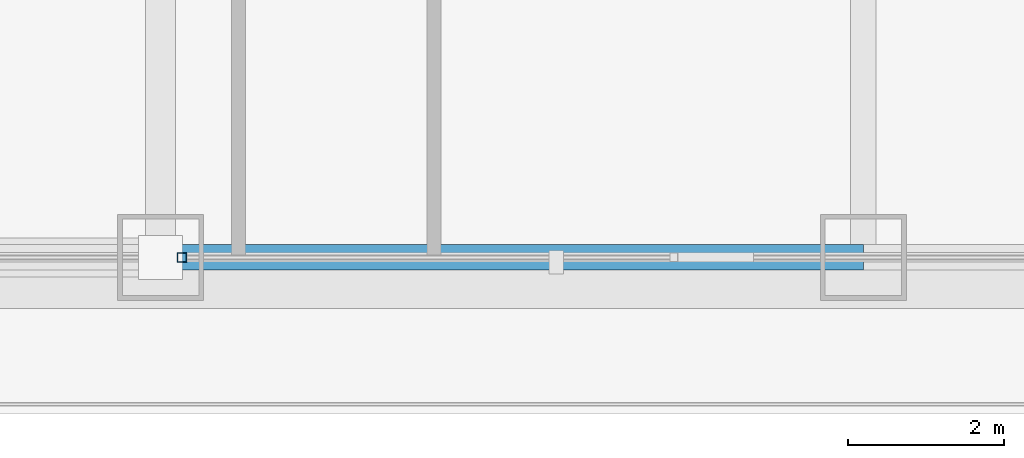
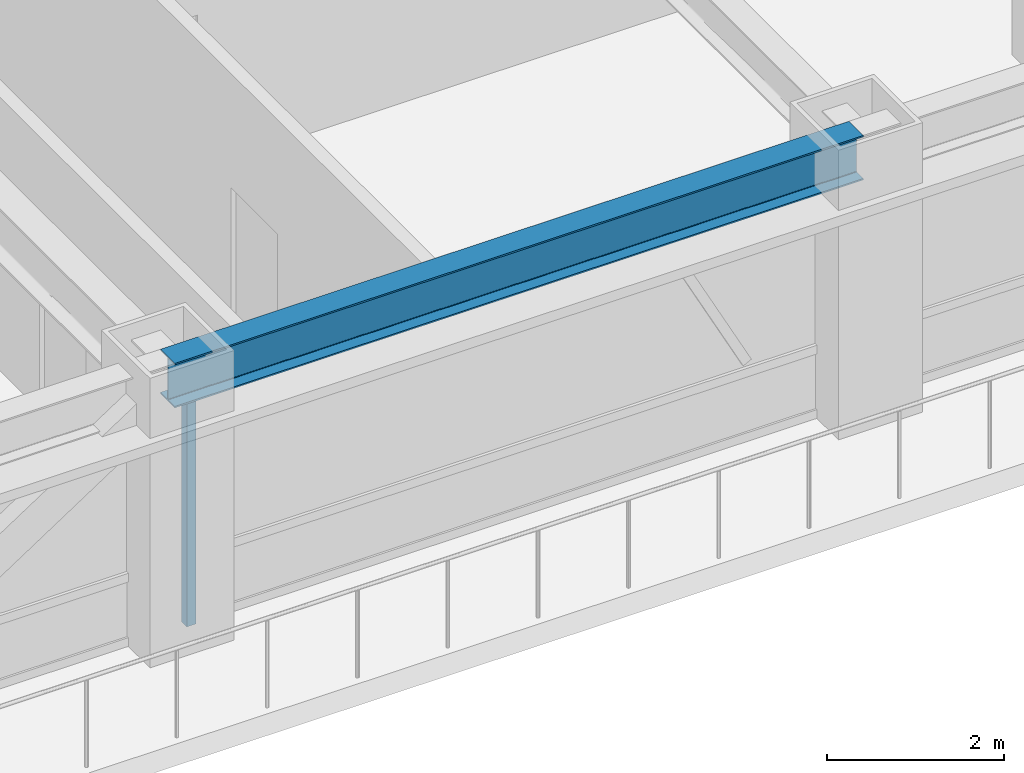
# One storey, part 9 of 35: 1 beam, 1 member, 1 element without a shape of its own.
"""IFC4 building model written with IfcOpenShell, lengths in metres."""

from ifc_helpers import new_model, si_unit, direction, frame, origin, origin_2d, place, context, subcontext, project, spatial, hollow_rectangle, i_section, extrude, source, transform, mapped, material, material_profile, profile_set, type_object, element, aggregate, save


model = new_model("IFC4")

# Units and contexts
model_context = context("Model", 3, precision=1e-05, world=origin(), true_north=direction((0.0, 1.0)))
body_context = subcontext(model_context, "Body", "Model", "MODEL_VIEW")
ifc_project = project(units=[si_unit("LENGTHUNIT", "METRE"), si_unit("AREAUNIT", "SQUARE_METRE"), si_unit("VOLUMEUNIT", "CUBIC_METRE"), si_unit("PLANEANGLEUNIT", "RADIAN"), si_unit("MASSUNIT", "GRAM", prefix="KILO")], contexts=[model_context])

# Site, building, storey
site_placement = place(None, origin())
site = spatial("IfcSite", under=ifc_project, at=site_placement, CompositionType="ELEMENT")
building_placement = place(site_placement, origin())
building = spatial("IfcBuilding", under=site, at=building_placement, Name="Khorayat Bourse Tower", CompositionType="ELEMENT")
storey_placement = place(building_placement, frame((0.0, 0.0, 155.10009765625)))
storey = spatial("IfcBuildingStorey", under=building, at=storey_placement, Name="L35", CompositionType="ELEMENT", Elevation=155.10009765625)

# Beam
ifc_material_1 = material(Name="Steel ASTM A992 Grade 50", Category="steel")
ifc_material_profile_1 = material_profile(ifc_material_1, i_section(OverallWidth=0.324951171875, OverallDepth=0.615966796875, WebThickness=0.013916015625, FlangeThickness=0.021484375, FilletRadius=0.01611328125, at=origin_2d()), Name="W610X174")
ifc_profile_set_1 = profile_set([ifc_material_profile_1], Name="Steel ASTM A992 Grade 50")
beam_type = type_object("IfcBeamType", Name="BM-SPAN-610", PredefinedType="SPANDREL", material=ifc_profile_set_1)
shared_shape_1 = source(origin(), body_context, "Body", "SweptSolid", [
    extrude(i_section(OverallWidth=0.324951171875, OverallDepth=0.615966796875, WebThickness=0.013916015625, FlangeThickness=0.021484375, FilletRadius=0.01611328125, at=origin_2d()), origin(), (0.0, 0.0, 1.0), 9.0),
])
beam_placement = place(storey_placement, frame((11.0, -30.0, 3.471923828125), z_axis=(1.0, 0.0, 0.0), x_axis=(0.0, 1.0, 0.0)))
element("IfcBeam", 1, at=beam_placement, inside=storey, type_object=beam_type, Name="L35 BM-SPAN-610 BM-L35-SPN-030", PredefinedType="SPANDREL", context=body_context, shape_type="MappedRepresentation", body=[
    mapped(shared_shape_1, transform((0.0, 0.0, 0.0), scale=1.0)),
])

# Curtain wall, member
ifc_material_2 = material(Name="Aluminium EN AW-6063 T6", Category="aluminium")
curtain_wall_type = type_object("IfcCurtainWallType", Name="CW-SYS-03", PredefinedType="NOTDEFINED", material=ifc_material_2)
curtain_wall_placement = place(storey_placement, origin())
curtain_wall = element("IfcCurtainWall", 2, at=curtain_wall_placement, inside=storey, type_object=curtain_wall_type, Name="L35 Curtain Wall CW-L35-S2", PredefinedType="NOTDEFINED")
ifc_material_profile_2 = material_profile(ifc_material_2, hollow_rectangle(XDim=0.1201171875, YDim=0.1201171875, WallThickness=0.0048828125, at=origin_2d()), Name="ALU 120x120x5")
ifc_profile_set_2 = profile_set([ifc_material_profile_2], Name="Aluminium EN AW-6063 T6")
member_type = type_object("IfcMemberType", Name="CWM-VERT-120", PredefinedType="MULLION", material=ifc_profile_set_2)
shared_shape_2 = source(origin(), body_context, "Body", "SweptSolid", [
    extrude(hollow_rectangle(XDim=0.1201171875, YDim=0.1201171875, WallThickness=0.0048828125, at=origin_2d()), origin(), (0.0, 0.0, 1.0), 3.1298828125),
])
member_placement = place(storey_placement, frame((11.27490234375, -30.0, 0.0), z_axis=(0.0, 0.0, 1.0), x_axis=(0.0, 1.0, 0.0)))
member = element("IfcMember", 3, at=member_placement, type_object=member_type, Name="CW-L35-S2 Vertical Mullion 2", PredefinedType="MULLION", context=body_context, shape_type="MappedRepresentation", body=[
    mapped(shared_shape_2, transform((0.0, 0.0, 0.0), scale=1.0)),
])
aggregate(curtain_wall, [member])

save(model, "model.ifc")
